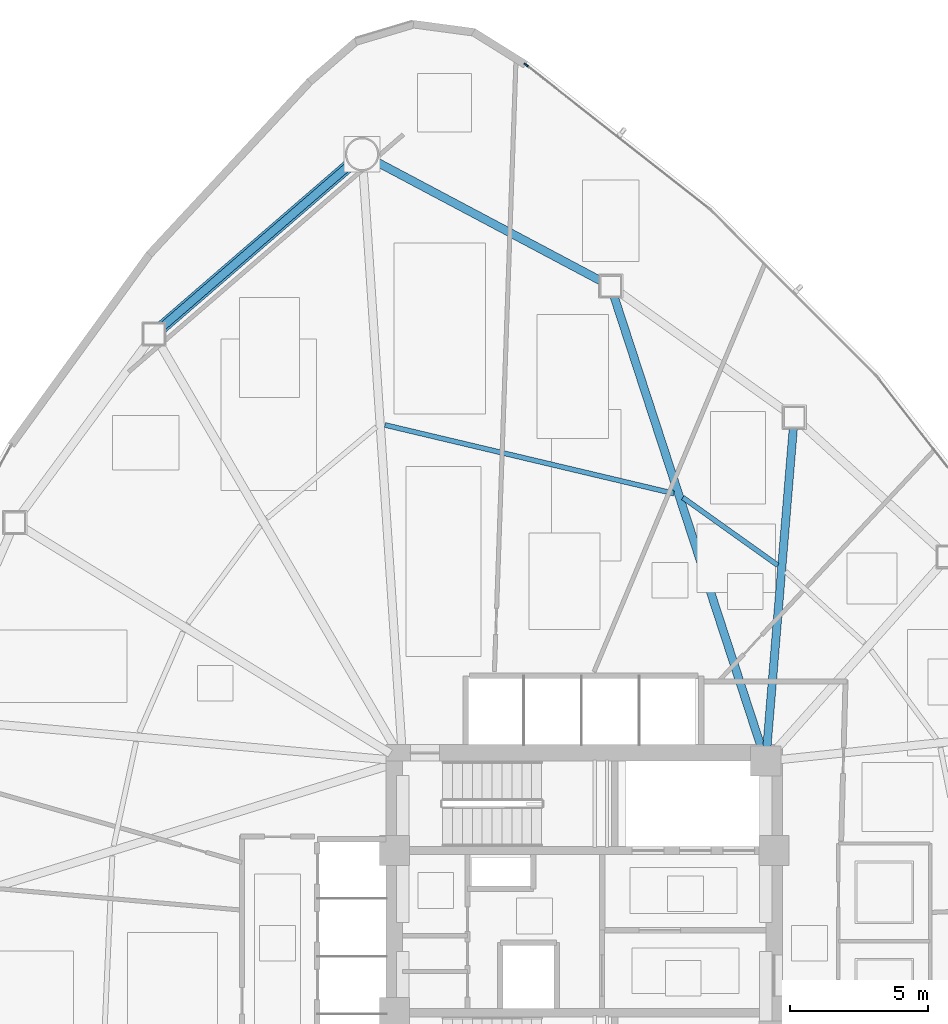
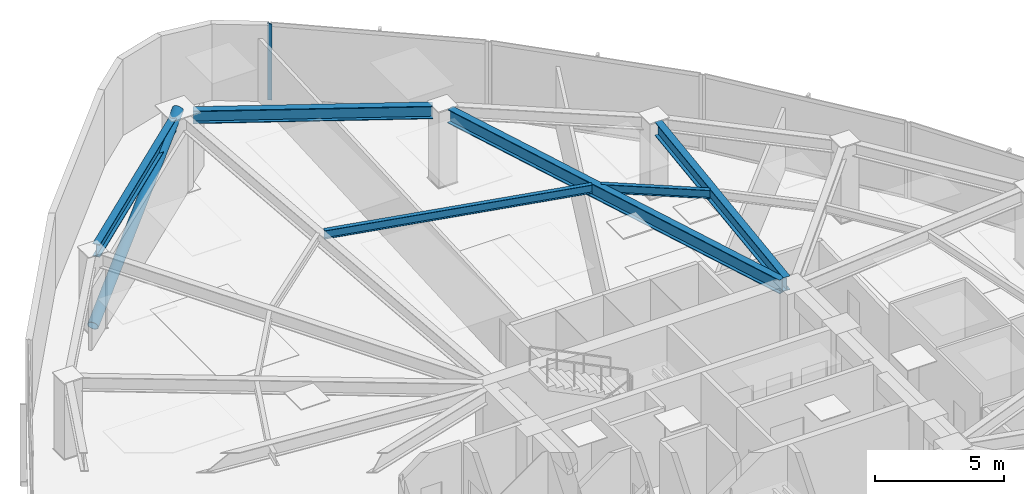
# One storey, part 8 of 17: 6 beams, 2 members, 1 element without a shape of its own.
"""IFC4 building model written with IfcOpenShell, lengths in metres."""

import ifcopenshell
import ifcopenshell.guid

model = None  # the IFC model being written
_history = None  # IfcOwnerHistory: only IFC2X3 demands one
_inside = {}  # id of a spatial element -> (the spatial element, [elements in it])
_under = {}  # id of a project, library or spatial element -> (it, [spatial elements below it])
_declared = {}  # id of a project -> (the project, [libraries it declares])
_typed = {}  # id of a type object -> (the type object, [elements of that type])
_made_of = {}  # id of a material, layer set ... -> (it, [elements and type objects made of it])


def new_model(schema):
    """Start an empty IFC model of exactly this schema.

    Asked for "IFC4X3", IfcOpenShell would pick the latest addendum, in which some entities
    have other attributes; the version numbers below select the first issue.
    IFC2X3 requires an IfcOwnerHistory on every rooted entity: one is made here for all.
    """
    global model, _history
    if schema == "IFC4X3":
        model = ifcopenshell.file(schema_version=(4, 3, 0, 0))
    else:
        model = ifcopenshell.file(schema=schema)
    _inside.clear()
    _under.clear()
    _declared.clear()
    _typed.clear()
    _made_of.clear()
    _history = None
    if model.schema == "IFC2X3":
        org = make("IfcOrganization", Name="unknown")
        user = make(
            "IfcPersonAndOrganization",
            ThePerson=make("IfcPerson", FamilyName="unknown"),
            TheOrganization=org,
        )
        app = make(
            "IfcApplication",
            ApplicationDeveloper=org,
            Version="unknown",
            ApplicationFullName="unknown",
            ApplicationIdentifier="unknown",
        )
        _history = make(
            "IfcOwnerHistory",
            OwningUser=user,
            OwningApplication=app,
            ChangeAction="ADDED",
            CreationDate=0,
        )
    return model


def make(cls, **values):
    """One entity of the class cls with the attributes given. An attribute that is None is left unset."""
    return model.create_entity(
        cls, **{name: value for name, value in values.items() if value is not None}
    )


def rooted(cls, **values):
    """An entity with a GlobalId (a new one), such as an element, a storey or a relation."""
    return make(cls, GlobalId=ifcopenshell.guid.new(), OwnerHistory=_history, **values)


def si_unit(unit_type, name, prefix=None):
    """IfcSIUnit, for example si_unit("LENGTHUNIT", "METRE", prefix="MILLI")."""
    return make("IfcSIUnit", UnitType=unit_type, Prefix=prefix, Name=name)


def assignment(units):
    """IfcUnitAssignment: the units of a project."""
    return None if units is None else make("IfcUnitAssignment", Units=units)


def point(xyz):
    """IfcCartesianPoint."""
    return None if xyz is None else make("IfcCartesianPoint", Coordinates=xyz)


def direction(xyz):
    """IfcDirection."""
    return None if xyz is None else make("IfcDirection", DirectionRatios=xyz)


def frame(location, z_axis=None, x_axis=None):
    """IfcAxis2Placement3D, a coordinate frame: its origin and axes. An axis left out is left unset."""
    return make(
        "IfcAxis2Placement3D",
        Location=point(location),
        Axis=direction(z_axis),
        RefDirection=direction(x_axis),
    )


def frame_2d(location, x_axis=None):
    """IfcAxis2Placement2D, a coordinate frame in the plane: its origin and x axis."""
    return make(
        "IfcAxis2Placement2D", Location=point(location), RefDirection=direction(x_axis)
    )


def origin():
    """The frame at (0, 0, 0) with its axes left unset."""
    return frame((0.0, 0.0, 0.0))


def origin_2d():
    """The frame at (0, 0) in the plane with its x axis left unset."""
    return frame_2d((0.0, 0.0))


def place(relative_to, where):
    """IfcLocalPlacement: puts the frame where relative to a parent placement (None: the world)."""
    return make(
        "IfcLocalPlacement", PlacementRelTo=relative_to, RelativePlacement=where
    )


def context(
    kind, dimensions, precision=None, world=None, true_north=None, identifier=None
):
    """IfcGeometricRepresentationContext, for example the 3D "Model" context."""
    return make(
        "IfcGeometricRepresentationContext",
        ContextIdentifier=identifier,
        ContextType=kind,
        CoordinateSpaceDimension=dimensions,
        Precision=precision,
        WorldCoordinateSystem=world,
        TrueNorth=true_north,
    )


def subcontext(parent, identifier, kind, view, scale=None):
    """IfcGeometricRepresentationSubContext, for example "Body" below "Model"."""
    return make(
        "IfcGeometricRepresentationSubContext",
        ContextIdentifier=identifier,
        ContextType=kind,
        ParentContext=parent,
        TargetScale=scale,
        TargetView=view,
    )


def project(units=None, contexts=None):
    """IfcProject with its units and contexts."""
    return rooted(
        "IfcProject",
        Name="project",
        RepresentationContexts=contexts,
        UnitsInContext=assignment(units),
    )


def spatial(cls, under=None, at=None, **own):
    """A site, building, storey or space (cls), placed at a placement, below another one or the project."""
    s = rooted(cls, ObjectPlacement=at, **own)
    if under is not None:
        _under.setdefault(under.id(), (under, []))[1].append(s)
    return s


def profile(cls, at=None, kind="AREA", **sizes):
    """A parametric profile (cls). Its sizes go by their IFC names, for example OverallWidth=200.0."""
    return make(cls, ProfileType=kind, Position=at, **sizes)


def hollow_rectangle(**sizes):
    """IfcRectangleHollowProfileDef."""
    return profile("IfcRectangleHollowProfileDef", **sizes)


def hollow_circle(**sizes):
    """IfcCircleHollowProfileDef."""
    return profile("IfcCircleHollowProfileDef", **sizes)


def i_section(**sizes):
    """IfcIShapeProfileDef."""
    return profile("IfcIShapeProfileDef", **sizes)


def extrude(swept, where, along, depth):
    """IfcExtrudedAreaSolid: the profile swept, set in the frame where, extruded along a direction by depth."""
    return make(
        "IfcExtrudedAreaSolid",
        SweptArea=swept,
        Position=where,
        ExtrudedDirection=direction(along),
        Depth=depth,
    )


def shape(context_of_items, identifier, shape_type, items):
    """IfcShapeRepresentation: the items that make up one representation, for example the "Body"."""
    return make(
        "IfcShapeRepresentation",
        ContextOfItems=context_of_items,
        RepresentationIdentifier=identifier,
        RepresentationType=shape_type,
        Items=items,
    )


def source(mapping_origin, context_of_items, identifier, shape_type, items):
    """IfcRepresentationMap: a shape defined once, which mapped items show again and again."""
    return make(
        "IfcRepresentationMap",
        MappingOrigin=mapping_origin,
        MappedRepresentation=shape(context_of_items, identifier, shape_type, items),
    )


def transform(
    local_origin,
    x_axis=None,
    y_axis=None,
    z_axis=None,
    scale=None,
    scale2=None,
    scale3=None,
    uniform=True,
):
    """IfcCartesianTransformationOperator3D, or its non-uniform kind. x_axis, y_axis, z_axis: its Axis1, 2, 3."""
    if uniform:
        return make(
            "IfcCartesianTransformationOperator3D",
            Axis1=direction(x_axis),
            Axis2=direction(y_axis),
            LocalOrigin=point(local_origin),
            Scale=scale,
            Axis3=direction(z_axis),
        )
    return make(
        "IfcCartesianTransformationOperator3DnonUniform",
        Axis1=direction(x_axis),
        Axis2=direction(y_axis),
        LocalOrigin=point(local_origin),
        Scale=scale,
        Axis3=direction(z_axis),
        Scale2=scale2,
        Scale3=scale3,
    )


def mapped(mapping_source, mapping_target):
    """IfcMappedItem: shows the shape of a source again, moved by a transform."""
    return make(
        "IfcMappedItem", MappingSource=mapping_source, MappingTarget=mapping_target
    )


def material(Name=None, Category=None):
    """IfcMaterial."""
    return make("IfcMaterial", Name=Name, Category=Category)


def layer(
    of_material, thickness, ventilated=None, Name=None, Category=None, Priority=None
):
    """IfcMaterialLayer: one layer of a wall or slab, of a material (None: an air gap)."""
    return make(
        "IfcMaterialLayer",
        Material=of_material,
        LayerThickness=thickness,
        IsVentilated=ventilated,
        Name=Name,
        Category=Category,
        Priority=Priority,
    )


def layer_set(layers, Name=None):
    """IfcMaterialLayerSet."""
    return make("IfcMaterialLayerSet", MaterialLayers=layers, LayerSetName=Name)


def material_profile(
    of_material, cross_section, Name=None, Category=None, Priority=None
):
    """IfcMaterialProfile: a cross section and its material."""
    return make(
        "IfcMaterialProfile",
        Name=Name,
        Material=of_material,
        Profile=cross_section,
        Priority=Priority,
        Category=Category,
    )


def profile_set(profiles, Name=None, composite=None):
    """IfcMaterialProfileSet."""
    return make(
        "IfcMaterialProfileSet",
        Name=Name,
        MaterialProfiles=profiles,
        CompositeProfile=composite,
    )


def made_of(thing, what):
    """Note that an element or type object is made of a material, layer set ...; save() writes the relation."""
    if what is not None:
        _made_of.setdefault(what.id(), (what, []))[1].append(thing)
    return thing


def type_object(cls, material=None, **own):
    """A type object (cls), such as IfcWallType, which elements share."""
    return made_of(rooted(cls, **own), material)


def type_shapes(of_type, sources):
    """Give a type object the sources (RepresentationMaps) that its elements show as mapped items."""
    of_type.RepresentationMaps = sources


def element(
    cls,
    number,
    at=None,
    inside=None,
    cuts=None,
    type_object=None,
    material=None,
    context=None,
    identifier="Body",
    shape_type=None,
    held_by="IfcProductDefinitionShape",
    body=None,
    shapes=None,
    **own,
):
    """One element of the class cls, such as IfcWall. Its Tag is "e" and its number.

    at: its placement. inside: the storey or other place that contains it. cuts: it is an
    opening in that element (IfcRelVoidsElement). A single representation is given by context,
    identifier, shape_type and body (its items); several are given by shapes. held_by: the class
    of the entity that holds the representations. save() writes the other relations.
    """
    e = rooted(cls, Tag="e%d" % number, ObjectPlacement=at, **own)
    if body is not None:
        shapes = [shape(context, identifier, shape_type, body)]
    if shapes is not None:
        e.Representation = make(held_by, Representations=shapes)
    if inside is not None:
        _inside.setdefault(inside.id(), (inside, []))[1].append(e)
    if cuts is not None:
        rooted(
            "IfcRelVoidsElement", RelatingBuildingElement=cuts, RelatedOpeningElement=e
        )
    if type_object is not None:
        _typed.setdefault(type_object.id(), (type_object, []))[1].append(e)
    return made_of(e, material)


def aggregate(whole, parts):
    """IfcRelAggregates: a whole, such as a stair, and the parts it consists of."""
    return rooted("IfcRelAggregates", RelatingObject=whole, RelatedObjects=parts)


def save(model, path):
    """Write the relations noted so far, then the file.

    IfcRelAggregates (storeys below a building ...), IfcRelContainedInSpatialStructure (elements
    in a storey), IfcRelDefinesByType, IfcRelAssociatesMaterial and IfcRelDeclares: one each for
    every whole, place, type object, material and project.
    """
    for whole, parts in _under.values():
        aggregate(whole, parts)
    for where, things in _inside.values():
        rooted(
            "IfcRelContainedInSpatialStructure",
            RelatedElements=things,
            RelatingStructure=where,
        )
    for kind, things in _typed.values():
        rooted("IfcRelDefinesByType", RelatedObjects=things, RelatingType=kind)
    for what, things in _made_of.values():
        rooted("IfcRelAssociatesMaterial", RelatedObjects=things, RelatingMaterial=what)
    for by, libraries in _declared.values():
        rooted("IfcRelDeclares", RelatingContext=by, RelatedDefinitions=libraries)
    model.write(path)


model = new_model("IFC4")

# Units and contexts
model_context = context("Model", 3, precision=1e-05, world=origin(), true_north=direction((0.0, 1.0)))
body_context = subcontext(model_context, "Body", "Model", "MODEL_VIEW")
ifc_project = project(units=[si_unit("LENGTHUNIT", "METRE"), si_unit("AREAUNIT", "SQUARE_METRE"), si_unit("VOLUMEUNIT", "CUBIC_METRE"), si_unit("PLANEANGLEUNIT", "RADIAN"), si_unit("MASSUNIT", "GRAM", prefix="KILO")], contexts=[model_context])

# Site, building, storey
site_placement = place(None, origin())
site = spatial("IfcSite", under=ifc_project, at=site_placement, CompositionType="ELEMENT")
building_placement = place(site_placement, origin())
building = spatial("IfcBuilding", under=site, at=building_placement, Name="Tavelor Broadcast Tower", CompositionType="ELEMENT")
storey_placement = place(building_placement, frame((0.0, 0.0, 43.199951171875)))
storey = spatial("IfcBuildingStorey", under=building, at=storey_placement, Name="L09", CompositionType="ELEMENT", Elevation=43.199951171875)

# Beams
ifc_material_1 = material(Name="Steel S355", Category="steel")
ifc_material_profile_1 = material_profile(ifc_material_1, i_section(OverallWidth=0.179931640625, OverallDepth=0.39990234375, WebThickness=0.008544921875, FlangeThickness=0.013427734375, at=origin_2d()), Name="IPE 400")
ifc_profile_set_1 = profile_set([ifc_material_profile_1], Name="Steel S355")
beam_type_1 = type_object("IfcBeamType", Name="Composite Floor Joist T1 IPE 400", PredefinedType="JOIST", material=ifc_profile_set_1)
beam_1_placement = place(storey_placement, frame((57.03369140625, 58.321044921875, 3.400146484375), z_axis=(-0.814052615916, 0.580791131579, 0.0), x_axis=(-0.580791131579, -0.814052615916, 0.0)))
element("IfcBeam", 1, at=beam_1_placement, inside=storey, type_object=beam_type_1, Name="L09 Secondary Composite Floor Joist 17", PredefinedType="JOIST", context=body_context, shape_type="SweptSolid", body=[
    extrude(i_section(OverallWidth=0.179931640625, OverallDepth=0.39990234375, WebThickness=0.008544921875, FlangeThickness=0.013427734375, at=origin_2d()), origin(), (0.0, 0.0, 1.0), 4.23681640625),
])
beam_2_placement = place(storey_placement, frame((53.260986328125, 60.9287109375, 3.400146484375), z_axis=(-0.973012053378, 0.230754293526, 0.0), x_axis=(-0.230754293526, -0.973012053378, 0.0)))
element("IfcBeam", 2, at=beam_2_placement, inside=storey, type_object=beam_type_1, Name="L09 Secondary Composite Floor Joist 18", PredefinedType="JOIST", context=body_context, shape_type="SweptSolid", body=[
    extrude(i_section(OverallWidth=0.179931640625, OverallDepth=0.39990234375, WebThickness=0.008544921875, FlangeThickness=0.013427734375, at=origin_2d()), origin(), (0.0, 0.0, 1.0), 10.797119140625),
])
ifc_material_profile_2 = material_profile(ifc_material_1, i_section(OverallWidth=0.300048828125, OverallDepth=0.60009765625, WebThickness=0.015380859375, FlangeThickness=0.030029296875, at=origin_2d()), Name="HEB 600")
ifc_profile_set_2 = profile_set([ifc_material_profile_2], Name="Steel S355")
beam_type_2 = type_object("IfcBeamType", Name="Perimeter Spandrel Beam T1 HEB 600", PredefinedType="SPANDREL", material=ifc_profile_set_2)
beam_3_placement = place(storey_placement, frame((41.48046875, 72.8837890625, 3.300048828125), z_axis=(-0.756663126242, -0.653804950566, 0.0), x_axis=(0.653804950566, -0.756663126242, 0.0)))
element("IfcBeam", 3, at=beam_3_placement, inside=storey, type_object=beam_type_2, Name="L09 Framed-Tube Ring Spandrel 01", PredefinedType="SPANDREL", context=body_context, shape_type="SweptSolid", body=[
    extrude(i_section(OverallWidth=0.300048828125, OverallDepth=0.60009765625, WebThickness=0.015380859375, FlangeThickness=0.030029296875, at=origin_2d()), origin(), (0.0, 0.0, 1.0), 9.031494140625),
])
beam_4_placement = place(storey_placement, frame((50.62255859375, 68.648681640625, 3.300048828125), z_axis=(-0.883283542259, 0.468839187755, 0.0), x_axis=(-0.468839187755, -0.883283542259, 0.0)))
element("IfcBeam", 4, at=beam_4_placement, inside=storey, type_object=beam_type_2, Name="L09 Framed-Tube Ring Spandrel 18", PredefinedType="SPANDREL", context=body_context, shape_type="SweptSolid", body=[
    extrude(i_section(OverallWidth=0.300048828125, OverallDepth=0.60009765625, WebThickness=0.015380859375, FlangeThickness=0.030029296875, at=origin_2d()), origin(), (0.0, 0.0, 1.0), 9.263916015625),
])

# Member
ifc_material_profile_3 = material_profile(ifc_material_1, hollow_circle(Radius=0.228515625, WallThickness=0.02001953125, at=origin_2d()), Name="CHS 457x20")
ifc_profile_set_3 = profile_set([ifc_material_profile_3], Name="Steel S355")
member_type_1 = type_object("IfcMemberType", Name="Perimeter Tube Brace T1 CHS 457x20", PredefinedType="BRACE", material=ifc_profile_set_3)
member_1_placement = place(storey_placement, frame((34.356201171875, 66.727783203125, 0.0), z_axis=(0.711923189295, 0.615174771108, 0.338711342497), x_axis=(-0.653821967179, 0.756648422475, 0.0)))
element("IfcMember", 5, at=member_1_placement, inside=storey, type_object=member_type_1, Name="L09 Corner Tube Diagonal Brace 1", PredefinedType="BRACE", context=body_context, shape_type="SweptSolid", body=[
    extrude(hollow_circle(Radius=0.228515625, WallThickness=0.02001953125, at=origin_2d()), origin(), (0.0, 0.0, 1.0), 10.62890625),
])

# Beams
ifc_material_profile_4 = material_profile(ifc_material_1, i_section(OverallWidth=0.300048828125, OverallDepth=0.64990234375, WebThickness=0.01611328125, FlangeThickness=0.031005859375, at=origin_2d()), Name="HEB 650")
ifc_profile_set_4 = profile_set([ifc_material_profile_4], Name="Steel S355")
beam_type_3 = type_object("IfcBeamType", Name="Radial Floor Girder T1 HEB 650", PredefinedType="BEAM", material=ifc_profile_set_4)
beam_5_placement = place(storey_placement, frame((56.6435546875, 51.726318359375, 3.275146484375), z_axis=(0.08251031281, 0.996590210809, 0.0), x_axis=(-0.996590210809, 0.08251031281, 0.0)))
element("IfcBeam", 6, at=beam_5_placement, inside=storey, type_object=beam_type_3, Name="L09 Radial Primary Floor Girder 17", PredefinedType="BEAM", context=body_context, shape_type="SweptSolid", body=[
    extrude(i_section(OverallWidth=0.300048828125, OverallDepth=0.64990234375, WebThickness=0.01611328125, FlangeThickness=0.031005859375, at=origin_2d()), origin(), (0.0, 0.0, 1.0), 11.62841796875),
])
beam_6_placement = place(storey_placement, frame((56.43603515625, 51.701904296875, 3.275146484375), z_axis=(-0.310367857535, 0.950616533103, 0.0), x_axis=(-0.950616533103, -0.310367857535, 0.0)))
element("IfcBeam", 7, at=beam_6_placement, inside=storey, type_object=beam_type_3, Name="L09 Radial Primary Floor Girder 18", PredefinedType="BEAM", context=body_context, shape_type="SweptSolid", body=[
    extrude(i_section(OverallWidth=0.300048828125, OverallDepth=0.64990234375, WebThickness=0.01611328125, FlangeThickness=0.031005859375, at=origin_2d()), origin(), (0.0, 0.0, 1.0), 17.253662109375),
])

# Curtain wall, member
ifc_material_2 = material(Name="Architectural Anodized Aluminium", Category="aluminium")
ifc_layer = layer(ifc_material_2, 0.179931640625)
ifc_layer_set = layer_set([ifc_layer], Name="Architectural Anodized Aluminium")
curtain_wall_type = type_object("IfcCurtainWallType", Name="Tower Low-Zone Unitised Curtain Wall CW02", PredefinedType="NOTDEFINED", material=ifc_layer_set)
curtain_wall_placement = place(storey_placement, origin())
curtain_wall = element("IfcCurtainWall", 8, at=curtain_wall_placement, inside=storey, type_object=curtain_wall_type, Name="L09 Curtain Wall CW02 Run 72", PredefinedType="NOTDEFINED")
ifc_material_profile_5 = material_profile(ifc_material_2, hollow_rectangle(XDim=0.06494140625, YDim=0.179931640625, WallThickness=0.02197265625, at=origin_2d()), Name="RHS 65x180x22")
ifc_profile_set_5 = profile_set([ifc_material_profile_5], Name="Architectural Anodized Aluminium")
member_type_2 = type_object("IfcMemberType", Name="CW02 Extruded Aluminium Mullion 65x180", PredefinedType="MULLION", material=ifc_profile_set_5)
shared_shape = source(origin(), body_context, "Body", "SweptSolid", [
    extrude(hollow_rectangle(XDim=0.06494140625, YDim=0.179931640625, WallThickness=0.02197265625, at=origin_2d()), origin(), (0.0, 0.0, 1.0), 3.60009765625),
])
type_shapes(member_type_2, [shared_shape])
member_2_placement = place(storey_placement, frame((47.88623046875, 76.506591796875, 0.0), z_axis=(0.0, 0.0, 1.0), x_axis=(-0.617356219302, -0.786683734731, 0.0)))
member_2 = element("IfcMember", 9, at=member_2_placement, type_object=member_type_2, Name="CW02 mullion 2", PredefinedType="MULLION", context=body_context, shape_type="MappedRepresentation", body=[
    mapped(shared_shape, transform((0.0, 0.0, 0.0), scale=1.0)),
])
aggregate(curtain_wall, [member_2])

save(model, "model.ifc")
